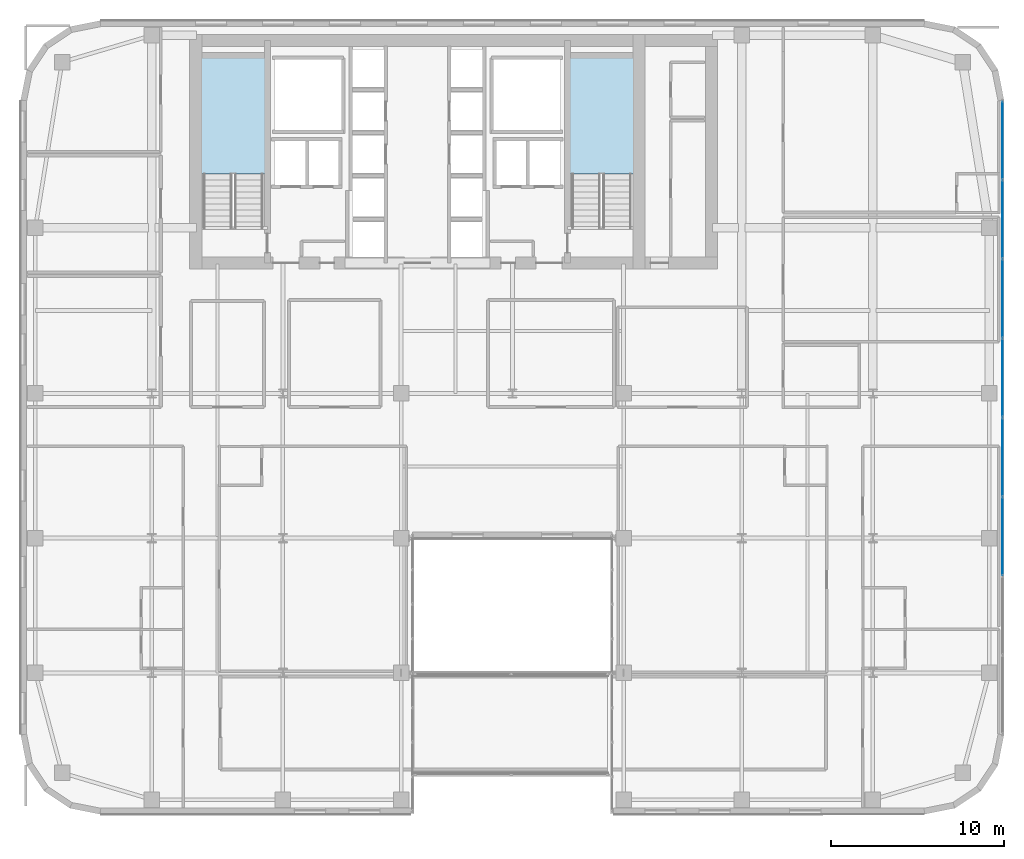
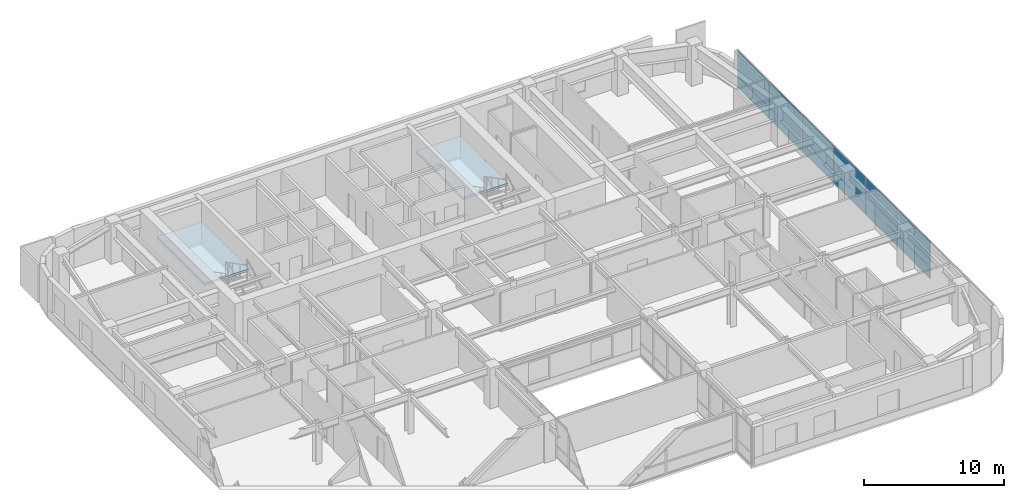
# One storey, part 19 of 31: 12 plates, 2 slabs, 3 elements without a shape of their own.
"""IFC4 building model written with IfcOpenShell, lengths in metres."""

from ifc_helpers import new_model, si_unit, direction, frame, origin, origin_2d, place, context, subcontext, project, spatial, polyline, rectangle, outline, extrude, source, transform, mapped, material, layer, layer_set, type_object, type_shapes, element, aggregate, save


model = new_model("IFC4")

# Units and contexts
model_context = context("Model", 3, precision=1e-05, world=origin(), true_north=direction((0.0, 1.0)))
body_context = subcontext(model_context, "Body", "Model", "MODEL_VIEW")
ifc_project = project(units=[si_unit("LENGTHUNIT", "METRE"), si_unit("AREAUNIT", "SQUARE_METRE"), si_unit("VOLUMEUNIT", "CUBIC_METRE"), si_unit("PLANEANGLEUNIT", "RADIAN"), si_unit("MASSUNIT", "GRAM", prefix="KILO")], contexts=[model_context])

# Site, building, storey
site_placement = place(None, origin())
site = spatial("IfcSite", under=ifc_project, at=site_placement, CompositionType="ELEMENT")
building_placement = place(site_placement, origin())
building = spatial("IfcBuilding", under=site, at=building_placement, Name="Tolvann Quenvar Hotel", CompositionType="ELEMENT")
storey_placement = place(building_placement, frame((0.0, 0.0, 125.75)))
storey = spatial("IfcBuildingStorey", under=building, at=storey_placement, Name="L32", CompositionType="ELEMENT", Elevation=125.75)

# Stair, slab
ifc_material_1 = material(Name="Concrete N40 (40 MPa)", Category="concrete")
stair_type = type_object("IfcStairType", Name="STAIR", PredefinedType="HALF_TURN_STAIR", material=ifc_material_1)
stair_1_placement = place(storey_placement, origin())
stair_1 = element("IfcStair", 1, at=stair_1_placement, inside=storey, type_object=stair_type, Name="L32 ST-C1", PredefinedType="HALF_TURN_STAIR")
ifc_layer_1 = layer(ifc_material_1, 0.199951171875)
ifc_layer_set_1 = layer_set([ifc_layer_1], Name="Concrete N40 (40 MPa)")
slab_type = type_object("IfcSlabType", Name="SLAB_LANDING", PredefinedType="LANDING", material=ifc_layer_set_1)
slab_1_placement = place(storey_placement, frame((0.0, 0.0, 1.574951171875)))
slab_1 = element("IfcSlab", 2, at=slab_1_placement, type_object=slab_type, Name="ST-C1 landing 1", PredefinedType="LANDING", context=body_context, shape_type="SweptSolid", body=[
    extrude(outline(polyline([(14.179931640625, 37.10498046875), (14.179931640625, 43.8798828125), (10.469970703125, 43.8798828125), (10.469970703125, 37.10498046875), (14.179931640625, 37.10498046875)])), origin(), (0.0, 0.0, 1.0), 0.199951171875),
])
aggregate(stair_1, [slab_1])

stair_2_placement = place(storey_placement, origin())
stair_2 = element("IfcStair", 3, at=stair_2_placement, inside=storey, type_object=stair_type, Name="L32 ST-C2", PredefinedType="HALF_TURN_STAIR")
slab_2_placement = place(storey_placement, frame((0.0, 0.0, 1.574951171875)))
slab_2 = element("IfcSlab", 4, at=slab_2_placement, type_object=slab_type, Name="ST-C2 landing 1", PredefinedType="LANDING", context=body_context, shape_type="SweptSolid", body=[
    extrude(outline(polyline([(35.530029296875, 37.10498046875), (35.530029296875, 43.8798828125), (31.820068359375, 43.8798828125), (31.820068359375, 37.10498046875), (35.530029296875, 37.10498046875)])), origin(), (0.0, 0.0, 1.0), 0.199951171875),
])
aggregate(stair_2, [slab_2])

# Curtain wall, plates
ifc_material_2 = material(Name="Thermally broken anodised architectural aluminium 6063-T6 and laminated low-E glass", Category="aluminium")
ifc_layer_2 = layer(ifc_material_2, 0.179931640625)
ifc_layer_set_2 = layer_set([ifc_layer_2], Name="Thermally broken anodised architectural aluminium 6063-T6 and laminated low-E glass")
curtain_wall_type = type_object("IfcCurtainWallType", Name="CW_SYS_BAND_04", PredefinedType="USERDEFINED", material=ifc_layer_set_2)
curtain_wall_placement = place(storey_placement, origin())
curtain_wall = element("IfcCurtainWall", 5, at=curtain_wall_placement, inside=storey, type_object=curtain_wall_type, Name="Curtain Wall CW-BAND-04 (CWR-L32-E13)", ObjectType="UNITISED CURTAIN WALL", PredefinedType="USERDEFINED")
ifc_material_3 = material(Name="Low-iron laminated double glazing with solar-control coating", Category="glass")
ifc_layer_3 = layer(ifc_material_3, 0.028076171875)
ifc_layer_set_3 = layer_set([ifc_layer_3], Name="Low-iron laminated double glazing with solar-control coating")
plate_type = type_object("IfcPlateType", Name="CW_PAN_VISION_28", PredefinedType="CURTAIN_PANEL", material=ifc_layer_set_3)
shared_shape_1 = source(origin(), body_context, "Body", "SweptSolid", [
    extrude(rectangle(XDim=4.49072265625, YDim=0.028076171875, at=origin_2d()), origin(), (0.0, 0.0, 1.0), 0.9599609375),
])
plate_1_placement = place(storey_placement, frame((56.909912109375, 39.0673828125, 0.06005859375), z_axis=(0.0, 0.0, 1.0), x_axis=(0.0, 1.0, 0.0)))
plate_1 = element("IfcPlate", 6, at=plate_1_placement, type_object=plate_type, Name="CW-BAND-04 panel 8.1", PredefinedType="CURTAIN_PANEL", context=body_context, shape_type="MappedRepresentation", body=[
    mapped(shared_shape_1, transform((0.0, 0.0, 0.0), x_axis=(1.0, 0.0, 0.0), y_axis=(0.0, 1.0, 0.0), z_axis=(0.0, 0.0, 1.0), scale=1.0)),
])
shared_shape_2 = source(origin(), body_context, "Body", "SweptSolid", [
    extrude(rectangle(XDim=4.49072265625, YDim=0.028076171875, at=origin_2d()), origin(), (0.0, 0.0, 1.0), 2.22998046875),
])
plate_2_placement = place(storey_placement, frame((56.909912109375, 39.0673828125, 1.080078125), z_axis=(0.0, 0.0, 1.0), x_axis=(0.0, 1.0, 0.0)))
plate_2 = element("IfcPlate", 7, at=plate_2_placement, type_object=plate_type, Name="CW-BAND-04 panel 8.2", PredefinedType="CURTAIN_PANEL", context=body_context, shape_type="MappedRepresentation", body=[
    mapped(shared_shape_2, transform((0.0, 0.0, 0.0), x_axis=(1.0, 0.0, 0.0), y_axis=(0.0, 1.0, 0.0), z_axis=(0.0, 0.0, 1.0), scale=1.0)),
])
shared_shape_3 = source(origin(), body_context, "Body", "SweptSolid", [
    extrude(rectangle(XDim=4.525634765625, YDim=0.028076171875, at=origin_2d()), origin(), (0.0, 0.0, 1.0), 0.9599609375),
])
plate_3_placement = place(storey_placement, frame((56.909912109375, 16.1064453125, 0.06005859375), z_axis=(0.0, 0.0, 1.0), x_axis=(0.0, 1.0, 0.0)))
plate_3 = element("IfcPlate", 8, at=plate_3_placement, type_object=plate_type, Name="CW-BAND-04 panel 3.1", PredefinedType="CURTAIN_PANEL", context=body_context, shape_type="MappedRepresentation", body=[
    mapped(shared_shape_3, transform((0.0, 0.0, 0.0), x_axis=(1.0, 0.0, 0.0), y_axis=(0.0, 1.0, 0.0), z_axis=(0.0, 0.0, 1.0), scale=1.0)),
])
plate_4_placement = place(storey_placement, frame((56.909912109375, 20.7021484375, 0.06005859375), z_axis=(0.0, 0.0, 1.0), x_axis=(0.0, 1.0, 0.0)))
plate_4 = element("IfcPlate", 9, at=plate_4_placement, type_object=plate_type, Name="CW-BAND-04 panel 4.1", PredefinedType="CURTAIN_PANEL", context=body_context, shape_type="MappedRepresentation", body=[
    mapped(shared_shape_3, transform((0.0, 0.0, 0.0), x_axis=(1.0, 0.0, 0.0), y_axis=(0.0, 1.0, 0.0), z_axis=(0.0, 0.0, 1.0), scale=1.0)),
])
plate_5_placement = place(storey_placement, frame((56.909912109375, 25.2978515625, 0.06005859375), z_axis=(0.0, 0.0, 1.0), x_axis=(0.0, 1.0, 0.0)))
plate_5 = element("IfcPlate", 10, at=plate_5_placement, type_object=plate_type, Name="CW-BAND-04 panel 5.1", PredefinedType="CURTAIN_PANEL", context=body_context, shape_type="MappedRepresentation", body=[
    mapped(shared_shape_3, transform((0.0, 0.0, 0.0), x_axis=(1.0, 0.0, 0.0), y_axis=(0.0, 1.0, 0.0), z_axis=(0.0, 0.0, 1.0), scale=1.0)),
])
plate_6_placement = place(storey_placement, frame((56.909912109375, 29.8935546875, 0.06005859375), z_axis=(0.0, 0.0, 1.0), x_axis=(0.0, 1.0, 0.0)))
plate_6 = element("IfcPlate", 11, at=plate_6_placement, type_object=plate_type, Name="CW-BAND-04 panel 6.1", PredefinedType="CURTAIN_PANEL", context=body_context, shape_type="MappedRepresentation", body=[
    mapped(shared_shape_3, transform((0.0, 0.0, 0.0), x_axis=(1.0, 0.0, 0.0), y_axis=(0.0, 1.0, 0.0), z_axis=(0.0, 0.0, 1.0), scale=1.0)),
])
plate_7_placement = place(storey_placement, frame((56.909912109375, 34.4892578125, 0.06005859375), z_axis=(0.0, 0.0, 1.0), x_axis=(0.0, 1.0, 0.0)))
plate_7 = element("IfcPlate", 12, at=plate_7_placement, type_object=plate_type, Name="CW-BAND-04 panel 7.1", PredefinedType="CURTAIN_PANEL", context=body_context, shape_type="MappedRepresentation", body=[
    mapped(shared_shape_3, transform((0.0, 0.0, 0.0), x_axis=(1.0, 0.0, 0.0), y_axis=(0.0, 1.0, 0.0), z_axis=(0.0, 0.0, 1.0), scale=1.0)),
])
shared_shape_4 = source(origin(), body_context, "Body", "SweptSolid", [
    extrude(rectangle(XDim=4.525634765625, YDim=0.028076171875, at=origin_2d()), origin(), (0.0, 0.0, 1.0), 2.22998046875),
])
type_shapes(plate_type, [shared_shape_1, shared_shape_2, shared_shape_3, shared_shape_4])
plate_8_placement = place(storey_placement, frame((56.909912109375, 16.1064453125, 1.080078125), z_axis=(0.0, 0.0, 1.0), x_axis=(0.0, 1.0, 0.0)))
plate_8 = element("IfcPlate", 13, at=plate_8_placement, type_object=plate_type, Name="CW-BAND-04 panel 3.2", PredefinedType="CURTAIN_PANEL", context=body_context, shape_type="MappedRepresentation", body=[
    mapped(shared_shape_4, transform((0.0, 0.0, 0.0), x_axis=(1.0, 0.0, 0.0), y_axis=(0.0, 1.0, 0.0), z_axis=(0.0, 0.0, 1.0), scale=1.0)),
])
plate_9_placement = place(storey_placement, frame((56.909912109375, 20.7021484375, 1.080078125), z_axis=(0.0, 0.0, 1.0), x_axis=(0.0, 1.0, 0.0)))
plate_9 = element("IfcPlate", 14, at=plate_9_placement, type_object=plate_type, Name="CW-BAND-04 panel 4.2", PredefinedType="CURTAIN_PANEL", context=body_context, shape_type="MappedRepresentation", body=[
    mapped(shared_shape_4, transform((0.0, 0.0, 0.0), x_axis=(1.0, 0.0, 0.0), y_axis=(0.0, 1.0, 0.0), z_axis=(0.0, 0.0, 1.0), scale=1.0)),
])
plate_10_placement = place(storey_placement, frame((56.909912109375, 25.2978515625, 1.080078125), z_axis=(0.0, 0.0, 1.0), x_axis=(0.0, 1.0, 0.0)))
plate_10 = element("IfcPlate", 15, at=plate_10_placement, type_object=plate_type, Name="CW-BAND-04 panel 5.2", PredefinedType="CURTAIN_PANEL", context=body_context, shape_type="MappedRepresentation", body=[
    mapped(shared_shape_4, transform((0.0, 0.0, 0.0), x_axis=(1.0, 0.0, 0.0), y_axis=(0.0, 1.0, 0.0), z_axis=(0.0, 0.0, 1.0), scale=1.0)),
])
plate_11_placement = place(storey_placement, frame((56.909912109375, 29.8935546875, 1.080078125), z_axis=(0.0, 0.0, 1.0), x_axis=(0.0, 1.0, 0.0)))
plate_11 = element("IfcPlate", 16, at=plate_11_placement, type_object=plate_type, Name="CW-BAND-04 panel 6.2", PredefinedType="CURTAIN_PANEL", context=body_context, shape_type="MappedRepresentation", body=[
    mapped(shared_shape_4, transform((0.0, 0.0, 0.0), x_axis=(1.0, 0.0, 0.0), y_axis=(0.0, 1.0, 0.0), z_axis=(0.0, 0.0, 1.0), scale=1.0)),
])
plate_12_placement = place(storey_placement, frame((56.909912109375, 34.4892578125, 1.080078125), z_axis=(0.0, 0.0, 1.0), x_axis=(0.0, 1.0, 0.0)))
plate_12 = element("IfcPlate", 17, at=plate_12_placement, type_object=plate_type, Name="CW-BAND-04 panel 7.2", PredefinedType="CURTAIN_PANEL", context=body_context, shape_type="MappedRepresentation", body=[
    mapped(shared_shape_4, transform((0.0, 0.0, 0.0), x_axis=(1.0, 0.0, 0.0), y_axis=(0.0, 1.0, 0.0), z_axis=(0.0, 0.0, 1.0), scale=1.0)),
])
aggregate(curtain_wall, [plate_3, plate_8, plate_4, plate_9, plate_5, plate_10, plate_6, plate_11, plate_7, plate_12, plate_1, plate_2])

save(model, "model.ifc")
